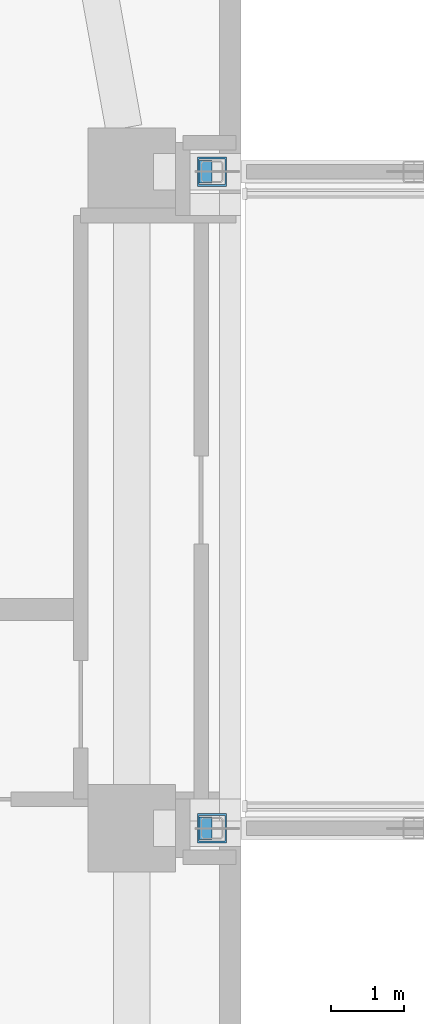
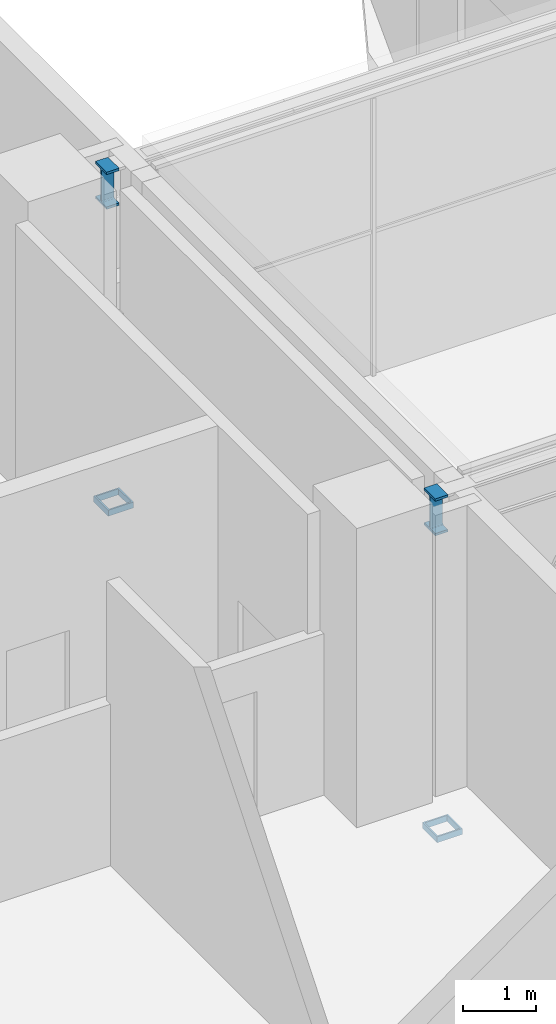
# One storey, part 4 of 33: 4 members.
"""IFC4 building model written with IfcOpenShell, lengths in metres."""

import ifcopenshell
import ifcopenshell.guid

model = None  # the IFC model being written
_history = None  # IfcOwnerHistory: only IFC2X3 demands one
_inside = {}  # id of a spatial element -> (the spatial element, [elements in it])
_under = {}  # id of a project, library or spatial element -> (it, [spatial elements below it])
_declared = {}  # id of a project -> (the project, [libraries it declares])
_typed = {}  # id of a type object -> (the type object, [elements of that type])
_made_of = {}  # id of a material, layer set ... -> (it, [elements and type objects made of it])


def new_model(schema):
    """Start an empty IFC model of exactly this schema.

    Asked for "IFC4X3", IfcOpenShell would pick the latest addendum, in which some entities
    have other attributes; the version numbers below select the first issue.
    IFC2X3 requires an IfcOwnerHistory on every rooted entity: one is made here for all.
    """
    global model, _history
    if schema == "IFC4X3":
        model = ifcopenshell.file(schema_version=(4, 3, 0, 0))
    else:
        model = ifcopenshell.file(schema=schema)
    _inside.clear()
    _under.clear()
    _declared.clear()
    _typed.clear()
    _made_of.clear()
    _history = None
    if model.schema == "IFC2X3":
        org = make("IfcOrganization", Name="unknown")
        user = make(
            "IfcPersonAndOrganization",
            ThePerson=make("IfcPerson", FamilyName="unknown"),
            TheOrganization=org,
        )
        app = make(
            "IfcApplication",
            ApplicationDeveloper=org,
            Version="unknown",
            ApplicationFullName="unknown",
            ApplicationIdentifier="unknown",
        )
        _history = make(
            "IfcOwnerHistory",
            OwningUser=user,
            OwningApplication=app,
            ChangeAction="ADDED",
            CreationDate=0,
        )
    return model


def make(cls, **values):
    """One entity of the class cls with the attributes given. An attribute that is None is left unset."""
    return model.create_entity(
        cls, **{name: value for name, value in values.items() if value is not None}
    )


def rooted(cls, **values):
    """An entity with a GlobalId (a new one), such as an element, a storey or a relation."""
    return make(cls, GlobalId=ifcopenshell.guid.new(), OwnerHistory=_history, **values)


def si_unit(unit_type, name, prefix=None):
    """IfcSIUnit, for example si_unit("LENGTHUNIT", "METRE", prefix="MILLI")."""
    return make("IfcSIUnit", UnitType=unit_type, Prefix=prefix, Name=name)


def assignment(units):
    """IfcUnitAssignment: the units of a project."""
    return None if units is None else make("IfcUnitAssignment", Units=units)


def point(xyz):
    """IfcCartesianPoint."""
    return None if xyz is None else make("IfcCartesianPoint", Coordinates=xyz)


def direction(xyz):
    """IfcDirection."""
    return None if xyz is None else make("IfcDirection", DirectionRatios=xyz)


def frame(location, z_axis=None, x_axis=None):
    """IfcAxis2Placement3D, a coordinate frame: its origin and axes. An axis left out is left unset."""
    return make(
        "IfcAxis2Placement3D",
        Location=point(location),
        Axis=direction(z_axis),
        RefDirection=direction(x_axis),
    )


def frame_2d(location, x_axis=None):
    """IfcAxis2Placement2D, a coordinate frame in the plane: its origin and x axis."""
    return make(
        "IfcAxis2Placement2D", Location=point(location), RefDirection=direction(x_axis)
    )


def origin():
    """The frame at (0, 0, 0) with its axes left unset."""
    return frame((0.0, 0.0, 0.0))


def origin_2d():
    """The frame at (0, 0) in the plane with its x axis left unset."""
    return frame_2d((0.0, 0.0))


def place(relative_to, where):
    """IfcLocalPlacement: puts the frame where relative to a parent placement (None: the world)."""
    return make(
        "IfcLocalPlacement", PlacementRelTo=relative_to, RelativePlacement=where
    )


def context(
    kind, dimensions, precision=None, world=None, true_north=None, identifier=None
):
    """IfcGeometricRepresentationContext, for example the 3D "Model" context."""
    return make(
        "IfcGeometricRepresentationContext",
        ContextIdentifier=identifier,
        ContextType=kind,
        CoordinateSpaceDimension=dimensions,
        Precision=precision,
        WorldCoordinateSystem=world,
        TrueNorth=true_north,
    )


def subcontext(parent, identifier, kind, view, scale=None):
    """IfcGeometricRepresentationSubContext, for example "Body" below "Model"."""
    return make(
        "IfcGeometricRepresentationSubContext",
        ContextIdentifier=identifier,
        ContextType=kind,
        ParentContext=parent,
        TargetScale=scale,
        TargetView=view,
    )


def project(units=None, contexts=None):
    """IfcProject with its units and contexts."""
    return rooted(
        "IfcProject",
        Name="project",
        RepresentationContexts=contexts,
        UnitsInContext=assignment(units),
    )


def spatial(cls, under=None, at=None, **own):
    """A site, building, storey or space (cls), placed at a placement, below another one or the project."""
    s = rooted(cls, ObjectPlacement=at, **own)
    if under is not None:
        _under.setdefault(under.id(), (under, []))[1].append(s)
    return s


def profile(cls, at=None, kind="AREA", **sizes):
    """A parametric profile (cls). Its sizes go by their IFC names, for example OverallWidth=200.0."""
    return make(cls, ProfileType=kind, Position=at, **sizes)


def hollow_rectangle(**sizes):
    """IfcRectangleHollowProfileDef."""
    return profile("IfcRectangleHollowProfileDef", **sizes)


def i_section(**sizes):
    """IfcIShapeProfileDef."""
    return profile("IfcIShapeProfileDef", **sizes)


def extrude(swept, where, along, depth):
    """IfcExtrudedAreaSolid: the profile swept, set in the frame where, extruded along a direction by depth."""
    return make(
        "IfcExtrudedAreaSolid",
        SweptArea=swept,
        Position=where,
        ExtrudedDirection=direction(along),
        Depth=depth,
    )


def shape(context_of_items, identifier, shape_type, items):
    """IfcShapeRepresentation: the items that make up one representation, for example the "Body"."""
    return make(
        "IfcShapeRepresentation",
        ContextOfItems=context_of_items,
        RepresentationIdentifier=identifier,
        RepresentationType=shape_type,
        Items=items,
    )


def material(Name=None, Category=None):
    """IfcMaterial."""
    return make("IfcMaterial", Name=Name, Category=Category)


def material_profile(
    of_material, cross_section, Name=None, Category=None, Priority=None
):
    """IfcMaterialProfile: a cross section and its material."""
    return make(
        "IfcMaterialProfile",
        Name=Name,
        Material=of_material,
        Profile=cross_section,
        Priority=Priority,
        Category=Category,
    )


def profile_set(profiles, Name=None, composite=None):
    """IfcMaterialProfileSet."""
    return make(
        "IfcMaterialProfileSet",
        Name=Name,
        MaterialProfiles=profiles,
        CompositeProfile=composite,
    )


def made_of(thing, what):
    """Note that an element or type object is made of a material, layer set ...; save() writes the relation."""
    if what is not None:
        _made_of.setdefault(what.id(), (what, []))[1].append(thing)
    return thing


def type_object(cls, material=None, **own):
    """A type object (cls), such as IfcWallType, which elements share."""
    return made_of(rooted(cls, **own), material)


def element(
    cls,
    number,
    at=None,
    inside=None,
    cuts=None,
    type_object=None,
    material=None,
    context=None,
    identifier="Body",
    shape_type=None,
    held_by="IfcProductDefinitionShape",
    body=None,
    shapes=None,
    **own,
):
    """One element of the class cls, such as IfcWall. Its Tag is "e" and its number.

    at: its placement. inside: the storey or other place that contains it. cuts: it is an
    opening in that element (IfcRelVoidsElement). A single representation is given by context,
    identifier, shape_type and body (its items); several are given by shapes. held_by: the class
    of the entity that holds the representations. save() writes the other relations.
    """
    e = rooted(cls, Tag="e%d" % number, ObjectPlacement=at, **own)
    if body is not None:
        shapes = [shape(context, identifier, shape_type, body)]
    if shapes is not None:
        e.Representation = make(held_by, Representations=shapes)
    if inside is not None:
        _inside.setdefault(inside.id(), (inside, []))[1].append(e)
    if cuts is not None:
        rooted(
            "IfcRelVoidsElement", RelatingBuildingElement=cuts, RelatedOpeningElement=e
        )
    if type_object is not None:
        _typed.setdefault(type_object.id(), (type_object, []))[1].append(e)
    return made_of(e, material)


def aggregate(whole, parts):
    """IfcRelAggregates: a whole, such as a stair, and the parts it consists of."""
    return rooted("IfcRelAggregates", RelatingObject=whole, RelatedObjects=parts)


def save(model, path):
    """Write the relations noted so far, then the file.

    IfcRelAggregates (storeys below a building ...), IfcRelContainedInSpatialStructure (elements
    in a storey), IfcRelDefinesByType, IfcRelAssociatesMaterial and IfcRelDeclares: one each for
    every whole, place, type object, material and project.
    """
    for whole, parts in _under.values():
        aggregate(whole, parts)
    for where, things in _inside.values():
        rooted(
            "IfcRelContainedInSpatialStructure",
            RelatedElements=things,
            RelatingStructure=where,
        )
    for kind, things in _typed.values():
        rooted("IfcRelDefinesByType", RelatedObjects=things, RelatingType=kind)
    for what, things in _made_of.values():
        rooted("IfcRelAssociatesMaterial", RelatedObjects=things, RelatingMaterial=what)
    for by, libraries in _declared.values():
        rooted("IfcRelDeclares", RelatingContext=by, RelatedDefinitions=libraries)
    model.write(path)


model = new_model("IFC4")

# Units and contexts
model_context = context("Model", 3, precision=1e-05, world=origin(), true_north=direction((0.0, 1.0)))
body_context = subcontext(model_context, "Body", "Model", "MODEL_VIEW")
ifc_project = project(units=[si_unit("LENGTHUNIT", "METRE"), si_unit("AREAUNIT", "SQUARE_METRE"), si_unit("VOLUMEUNIT", "CUBIC_METRE"), si_unit("PLANEANGLEUNIT", "RADIAN"), si_unit("MASSUNIT", "GRAM", prefix="KILO")], contexts=[model_context])

# Site, building, storey
site_placement = place(None, origin())
site = spatial("IfcSite", under=ifc_project, at=site_placement, CompositionType="ELEMENT")
building_placement = place(site_placement, origin())
building = spatial("IfcBuilding", under=site, at=building_placement, Name="Ogive Portal Towers", CompositionType="ELEMENT")
storey_placement = place(building_placement, frame((0.0, 0.0, 28.5)))
storey = spatial("IfcBuildingStorey", under=building, at=storey_placement, Name="L05", CompositionType="ELEMENT", Elevation=28.5)

# Members
ifc_material = material(Name="Steel S355", Category="steel")
ifc_material_profile_1 = material_profile(ifc_material, hollow_rectangle(XDim=0.39990234375, YDim=0.39990234375, WallThickness=0.02490234375, at=origin_2d()), Name="BOX 400x400x25")
ifc_profile_set_1 = profile_set([ifc_material_profile_1], Name="Steel S355")
member_type_1 = type_object("IfcMemberType", Name="BEARING BOX 400x400x25", PredefinedType="USERDEFINED", material=ifc_profile_set_1)
for number, where, z_axis, x_axis, name in (
    (1, (104.60009765625, 30.5, -1.02001953125), (0.0, 0.0, 1.0), (1.0, 0.0, 0.0), "Sliding bearing L05"),
    (2, (104.60009765625, 39.5, -1.02001953125), (0.0, 0.0, 1.0), (1.0, 0.0, 0.0), "Sliding bearing L05"),
):
    element("IfcMember", number, at=place(storey_placement, frame(where, z_axis=z_axis, x_axis=x_axis)), inside=storey, type_object=member_type_1, Name=name, ObjectType="BEARING", PredefinedType="USERDEFINED", context=body_context, shape_type="SweptSolid", body=[
        extrude(hollow_rectangle(XDim=0.39990234375, YDim=0.39990234375, WallThickness=0.02490234375, at=origin_2d()), origin(), (0.0, 0.0, 1.0), 0.10009765625),
    ])
ifc_material_profile_2 = material_profile(ifc_material, i_section(OverallWidth=0.304931640625, OverallDepth=0.6201171875, WebThickness=0.02099609375, FlangeThickness=0.0400390625, FilletRadius=0.027099609375, at=origin_2d()), Name="HEM 600")
ifc_profile_set_2 = profile_set([ifc_material_profile_2], Name="Steel S355")
member_type_2 = type_object("IfcMemberType", Name="CHORD HEM 600", PredefinedType="CHORD", material=ifc_profile_set_2)
for number, where, z_axis, x_axis, name in (
    (3, (104.39990234375, 30.5, 4.389892578125), (1.0, 0.0, 0.0), (0.0, 1.0, 0.0), "Link truss top chord"),
    (4, (104.39990234375, 39.5, 4.389892578125), (1.0, 0.0, 0.0), (0.0, 1.0, 0.0), "Link truss top chord"),
):
    element("IfcMember", number, at=place(storey_placement, frame(where, z_axis=z_axis, x_axis=x_axis)), inside=storey, type_object=member_type_2, Name=name, PredefinedType="CHORD", context=body_context, shape_type="SweptSolid", body=[
        extrude(i_section(OverallWidth=0.304931640625, OverallDepth=0.6201171875, WebThickness=0.02099609375, FlangeThickness=0.0400390625, FilletRadius=0.027099609375, at=origin_2d()), origin(), (0.0, 0.0, 1.0), 0.2001953125),
    ])

save(model, "model.ifc")
